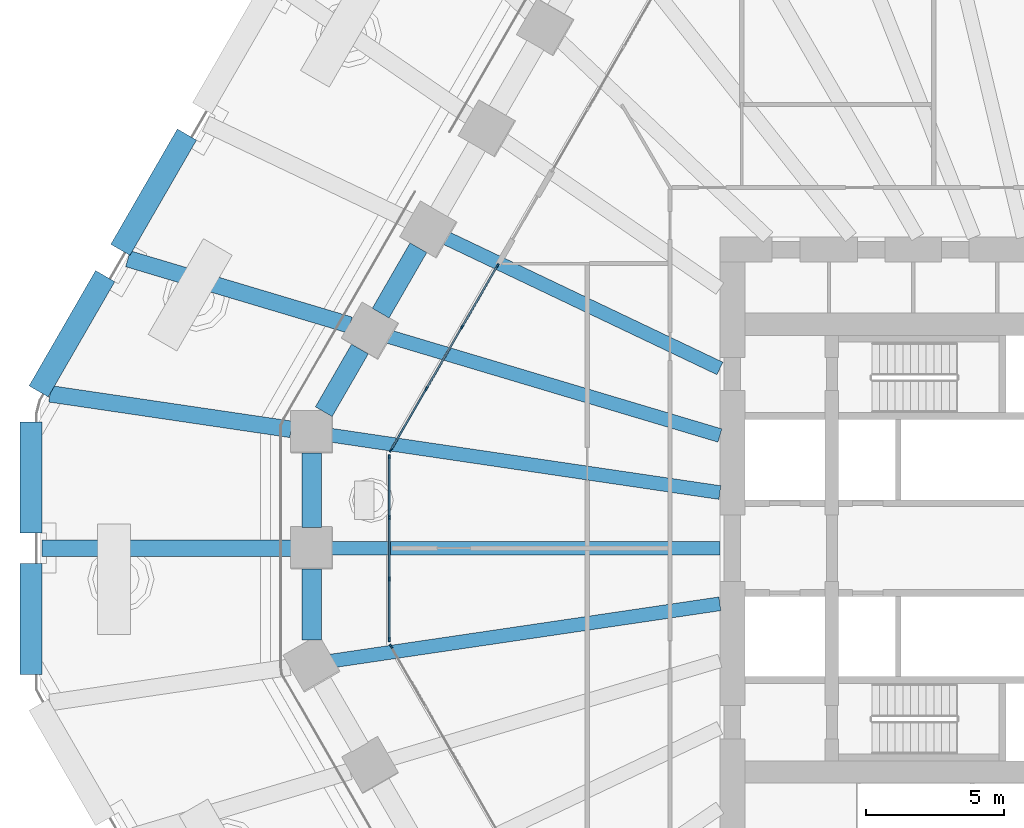
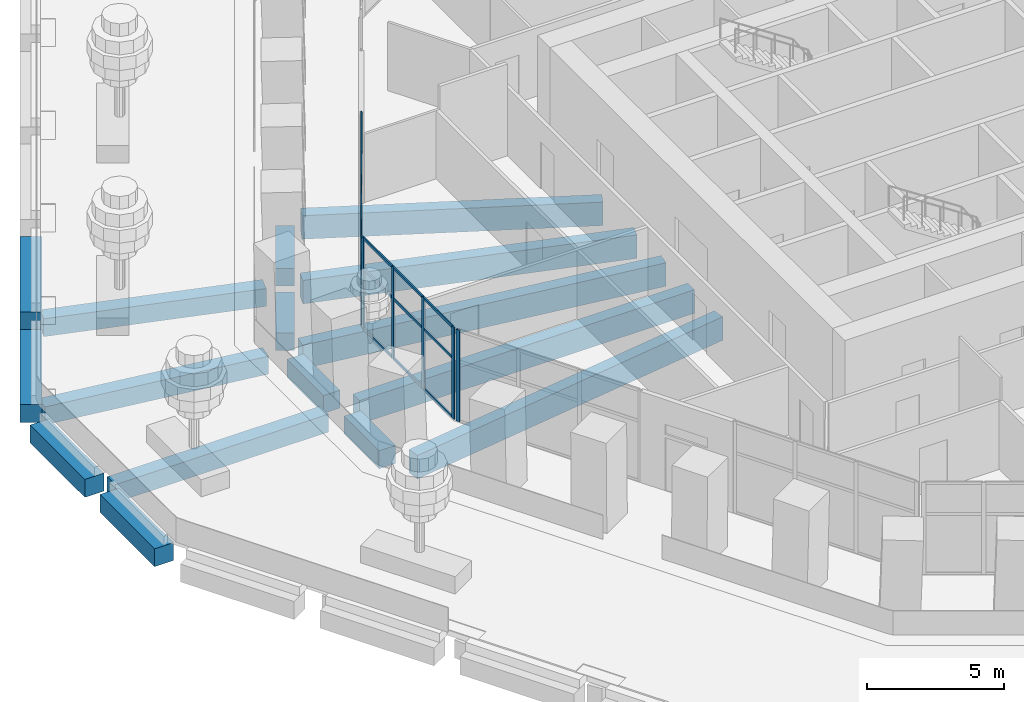
# One storey, part 10 of 32: 27 members, 16 beams, 3 elements without a shape of their own.
"""IFC4 building model written with IfcOpenShell, lengths in metres."""

from ifc_helpers import new_model, si_unit, direction, frame, origin, origin_2d, place, context, subcontext, project, spatial, rectangle, extrude, material, material_profile, profile_set, type_object, element, aggregate, save


model = new_model("IFC4")

# Units and contexts
model_context = context("Model", 3, precision=1e-05, world=origin(), true_north=direction((0.0, 1.0)))
body_context = subcontext(model_context, "Body", "Model", "MODEL_VIEW")
ifc_project = project(units=[si_unit("LENGTHUNIT", "METRE"), si_unit("AREAUNIT", "SQUARE_METRE"), si_unit("VOLUMEUNIT", "CUBIC_METRE"), si_unit("PLANEANGLEUNIT", "RADIAN"), si_unit("MASSUNIT", "GRAM", prefix="KILO")], contexts=[model_context])

# Site, building, storey
site_placement = place(None, origin())
site = spatial("IfcSite", under=ifc_project, at=site_placement, CompositionType="ELEMENT")
building_placement = place(site_placement, origin())
building = spatial("IfcBuilding", under=site, at=building_placement, Name="Frailejon Research Tower", CompositionType="ELEMENT")
storey_placement = place(building_placement, frame((0.0, 0.0, 14.60009765625)))
storey = spatial("IfcBuildingStorey", under=building, at=storey_placement, Name="L03", CompositionType="ELEMENT", Elevation=14.60009765625)

# Beams
ifc_material_1 = material(Name="Concrete C60/75", Category="concrete")
ifc_material_profile_1 = material_profile(ifc_material_1, rectangle(XDim=0.800048828125, YDim=0.800048828125, at=origin_2d()), Name="Base ring beam")
ifc_profile_set_1 = profile_set([ifc_material_profile_1], Name="Concrete C60/75")
beam_type_1 = type_object("IfcBeamType", Name="Base ring beam", PredefinedType="BEAM", material=ifc_profile_set_1)
beam_1_placement = place(storey_placement, frame((-32.930419921875, 14.962890625, -0.800048828125), z_axis=(-0.50000634465, -0.866021740668, 0.0), x_axis=(0.866021740668, -0.50000634465, 0.0)))
element("IfcBeam", 1, at=beam_1_placement, inside=storey, type_object=beam_type_1, Name="Base ring beam", PredefinedType="BEAM", context=body_context, shape_type="SweptSolid", body=[
    extrude(rectangle(XDim=0.800048828125, YDim=0.800048828125, at=origin_2d()), origin(), (0.0, 0.0, 1.0), 4.81396484375),
])
beam_2_placement = place(storey_placement, frame((-35.88720703125, 9.84130859375, -0.800048828125), z_axis=(-0.500028306193, -0.866009060579, 0.0), x_axis=(0.866009060579, -0.500028306193, 0.0)))
element("IfcBeam", 2, at=beam_2_placement, inside=storey, type_object=beam_type_1, Name="Base ring beam", PredefinedType="BEAM", context=body_context, shape_type="SweptSolid", body=[
    extrude(rectangle(XDim=0.800048828125, YDim=0.800048828125, at=origin_2d()), origin(), (0.0, 0.0, 1.0), 4.813720703125),
])
for number, where, z_axis, x_axis, name in (
    (3, (-38.569091796875, 4.56103515625, -0.800048828125), (0.0, -1.0, 0.0), (1.0, 0.0, 0.0), "Base ring beam"),
    (4, (-38.569091796875, -0.550048828125, -0.800048828125), (0.0, -1.0, 0.0), (1.0, 0.0, 0.0), "Base ring beam"),
):
    element("IfcBeam", number, at=place(storey_placement, frame(where, z_axis=z_axis, x_axis=x_axis)), inside=storey, type_object=beam_type_1, Name=name, PredefinedType="BEAM", context=body_context, shape_type="SweptSolid", body=[
        extrude(rectangle(XDim=0.800048828125, YDim=0.800048828125, at=origin_2d()), origin(), (0.0, 0.0, 1.0), 4.010986328125),
    ])

# Curtain wall, members
ifc_material_2 = material(Name="Aluminium curtain wall", Category="aluminium")
curtain_wall_type = type_object("IfcCurtainWallType", Name="Base zone unitised curtain wall system", PredefinedType="NOTDEFINED", material=ifc_material_2)
curtain_wall_1_placement = place(storey_placement, origin())
curtain_wall_1 = element("IfcCurtainWall", 5, at=curtain_wall_1_placement, inside=storey, type_object=curtain_wall_type, Name="Curtain wall L03", PredefinedType="NOTDEFINED")
ifc_material_3 = material(Name="Aluminium extrusion", Category="aluminium")
ifc_material_profile_2 = material_profile(ifc_material_3, rectangle(XDim=0.06005859375, YDim=0.159912109375, at=origin_2d()), Name="Base zone unitised curtain wall mullion 60x160")
ifc_profile_set_2 = profile_set([ifc_material_profile_2], Name="Aluminium extrusion")
member_type_1 = type_object("IfcMemberType", Name="Base zone unitised curtain wall mullion 60x160", PredefinedType="MULLION", material=ifc_profile_set_2)
member_1_placement = place(storey_placement, frame((-21.696044921875, 10.221435546875, 0.0), z_axis=(0.0, 0.0, 1.0), x_axis=(0.866029434533, -0.499993018474, 0.0)))
member_1 = element("IfcMember", 6, at=member_1_placement, type_object=member_type_1, Name="CW3-053 mullion 1", PredefinedType="MULLION", context=body_context, shape_type="SweptSolid", body=[
    extrude(rectangle(XDim=0.06005859375, YDim=0.159912109375, at=origin_2d()), origin(), (0.0, 0.0, 1.0), 4.099853515625),
])
member_2_placement = place(storey_placement, frame((-22.974853515625, 8.00634765625, 0.0), z_axis=(0.0, 0.0, 1.0), x_axis=(0.866029434533, -0.499993018474, 0.0)))
member_2 = element("IfcMember", 7, at=member_2_placement, type_object=member_type_1, Name="CW3-053 mullion 2", PredefinedType="MULLION", context=body_context, shape_type="SweptSolid", body=[
    extrude(rectangle(XDim=0.06005859375, YDim=0.159912109375, at=origin_2d()), origin(), (0.0, 0.0, 1.0), 4.099853515625),
])
member_3_placement = place(storey_placement, frame((-24.268798828125, 5.76513671875, 0.0), z_axis=(0.0, 0.0, 1.0), x_axis=(0.866029434533, -0.499993018474, 0.0)))
member_3 = element("IfcMember", 8, at=member_3_placement, type_object=member_type_1, Name="CW3-053 mullion 3", PredefinedType="MULLION", context=body_context, shape_type="SweptSolid", body=[
    extrude(rectangle(XDim=0.06005859375, YDim=0.159912109375, at=origin_2d()), origin(), (0.0, 0.0, 1.0), 4.099853515625),
])
member_4_placement = place(storey_placement, frame((-25.5478515625, 3.5498046875, 0.0), z_axis=(0.0, 0.0, 1.0), x_axis=(0.866029434533, -0.499993018474, 0.0)))
member_4 = element("IfcMember", 9, at=member_4_placement, type_object=member_type_1, Name="CW3-053 mullion 4", PredefinedType="MULLION", context=body_context, shape_type="SweptSolid", body=[
    extrude(rectangle(XDim=0.06005859375, YDim=0.159912109375, at=origin_2d()), origin(), (0.0, 0.0, 1.0), 4.099853515625),
])

curtain_wall_2_placement = place(storey_placement, origin())
curtain_wall_2 = element("IfcCurtainWall", 10, at=curtain_wall_2_placement, inside=storey, type_object=curtain_wall_type, Name="Curtain wall L03", PredefinedType="NOTDEFINED")
member_5_placement = place(storey_placement, frame((-25.61279296875, 3.307373046875, 0.0), z_axis=(0.0, 0.0, 1.0), x_axis=(1.0, 0.0, 0.0)))
member_5 = element("IfcMember", 11, at=member_5_placement, type_object=member_type_1, Name="CW3-054 mullion 1", PredefinedType="MULLION", context=body_context, shape_type="SweptSolid", body=[
    extrude(rectangle(XDim=0.06005859375, YDim=0.159912109375, at=origin_2d()), origin(), (0.0, 0.0, 1.0), 4.099853515625),
])
member_6_placement = place(storey_placement, frame((-25.61279296875, 1.112548828125, 0.0), z_axis=(0.0, 0.0, 1.0), x_axis=(1.0, 0.0, 0.0)))
member_6 = element("IfcMember", 12, at=member_6_placement, type_object=member_type_1, Name="CW3-054 mullion 2", PredefinedType="MULLION", context=body_context, shape_type="SweptSolid", body=[
    extrude(rectangle(XDim=0.06005859375, YDim=0.159912109375, at=origin_2d()), origin(), (0.0, 0.0, 1.0), 4.099853515625),
])
member_7_placement = place(storey_placement, frame((-25.61279296875, -1.112548828125, 0.0), z_axis=(0.0, 0.0, 1.0), x_axis=(1.0, 0.0, 0.0)))
member_7 = element("IfcMember", 13, at=member_7_placement, type_object=member_type_1, Name="CW3-054 mullion 3", PredefinedType="MULLION", context=body_context, shape_type="SweptSolid", body=[
    extrude(rectangle(XDim=0.06005859375, YDim=0.159912109375, at=origin_2d()), origin(), (0.0, 0.0, 1.0), 4.099853515625),
])
member_8_placement = place(storey_placement, frame((-25.61279296875, -3.307373046875, 0.0), z_axis=(0.0, 0.0, 1.0), x_axis=(1.0, 0.0, 0.0)))
member_8 = element("IfcMember", 14, at=member_8_placement, type_object=member_type_1, Name="CW3-054 mullion 4", PredefinedType="MULLION", context=body_context, shape_type="SweptSolid", body=[
    extrude(rectangle(XDim=0.06005859375, YDim=0.159912109375, at=origin_2d()), origin(), (0.0, 0.0, 1.0), 4.099853515625),
])

# Curtain wall, member
curtain_wall_3_placement = place(storey_placement, origin())
curtain_wall_3 = element("IfcCurtainWall", 15, at=curtain_wall_3_placement, inside=storey, type_object=curtain_wall_type, Name="Curtain wall L03", PredefinedType="NOTDEFINED")
member_9_placement = place(storey_placement, frame((-25.5478515625, -3.5498046875, 0.0), z_axis=(0.0, 0.0, 1.0), x_axis=(0.866029434533, 0.499993018474, 0.0)))
member_9 = element("IfcMember", 16, at=member_9_placement, type_object=member_type_1, Name="CW3-055 mullion 1", PredefinedType="MULLION", context=body_context, shape_type="SweptSolid", body=[
    extrude(rectangle(XDim=0.06005859375, YDim=0.159912109375, at=origin_2d()), origin(), (0.0, 0.0, 1.0), 4.099853515625),
])
aggregate(curtain_wall_3, [member_9])

# Member
ifc_material_4 = material(Name="Aluminium extrusion", Category="aluminium")
ifc_material_profile_3 = material_profile(ifc_material_4, rectangle(XDim=0.06005859375, YDim=0.1201171875, at=origin_2d()), Name="Base zone unitised curtain wall transom 60x120")
ifc_profile_set_3 = profile_set([ifc_material_profile_3], Name="Aluminium extrusion")
member_type_2 = type_object("IfcMemberType", Name="Base zone unitised curtain wall transom 60x120", PredefinedType="USERDEFINED", material=ifc_profile_set_3)
member_10_placement = place(storey_placement, frame((-21.7109375, 10.195556640625, 0.02978515625), z_axis=(-0.500007276137, -0.866021202864, 0.0), x_axis=(0.866021202864, -0.500007276137, 0.0)))
member_10 = element("IfcMember", 17, at=member_10_placement, type_object=member_type_2, Name="CW3-053 transom 1.1", ObjectType="TRANSOM", PredefinedType="USERDEFINED", context=body_context, shape_type="SweptSolid", body=[
    extrude(rectangle(XDim=0.06005859375, YDim=0.1201171875, at=origin_2d()), origin(), (0.0, 0.0, 1.0), 2.498046875),
])

member_11_placement = place(storey_placement, frame((-21.7109375, 10.195556640625, 2.699951171875), z_axis=(-0.500007276137, -0.866021202864, 0.0), x_axis=(0.866021202864, -0.500007276137, 0.0)))
member_11 = element("IfcMember", 18, at=member_11_placement, type_object=member_type_2, Name="CW3-053 transom 1.2", ObjectType="TRANSOM", PredefinedType="USERDEFINED", context=body_context, shape_type="SweptSolid", body=[
    extrude(rectangle(XDim=0.06005859375, YDim=0.1201171875, at=origin_2d()), origin(), (0.0, 0.0, 1.0), 2.498046875),
])

member_12_placement = place(storey_placement, frame((-21.7109375, 10.195556640625, 4.06982421875), z_axis=(-0.500007276137, -0.866021202864, 0.0), x_axis=(0.866021202864, -0.500007276137, 0.0)))
member_12 = element("IfcMember", 19, at=member_12_placement, type_object=member_type_2, Name="CW3-053 transom 1.3", ObjectType="TRANSOM", PredefinedType="USERDEFINED", context=body_context, shape_type="SweptSolid", body=[
    extrude(rectangle(XDim=0.06005859375, YDim=0.1201171875, at=origin_2d()), origin(), (0.0, 0.0, 1.0), 2.498046875),
])

member_13_placement = place(storey_placement, frame((-22.989990234375, 7.980224609375, 0.02978515625), z_axis=(-0.499992766374, -0.86602958008, 0.0), x_axis=(0.86602958008, -0.499992766374, 0.0)))
member_13 = element("IfcMember", 20, at=member_13_placement, type_object=member_type_2, Name="CW3-053 transom 2.1", ObjectType="TRANSOM", PredefinedType="USERDEFINED", context=body_context, shape_type="SweptSolid", body=[
    extrude(rectangle(XDim=0.06005859375, YDim=0.1201171875, at=origin_2d()), origin(), (0.0, 0.0, 1.0), 2.52783203125),
])

member_14_placement = place(storey_placement, frame((-22.989990234375, 7.980224609375, 2.699951171875), z_axis=(-0.499992766374, -0.86602958008, 0.0), x_axis=(0.86602958008, -0.499992766374, 0.0)))
member_14 = element("IfcMember", 21, at=member_14_placement, type_object=member_type_2, Name="CW3-053 transom 2.2", ObjectType="TRANSOM", PredefinedType="USERDEFINED", context=body_context, shape_type="SweptSolid", body=[
    extrude(rectangle(XDim=0.06005859375, YDim=0.1201171875, at=origin_2d()), origin(), (0.0, 0.0, 1.0), 2.52783203125),
])

member_15_placement = place(storey_placement, frame((-22.989990234375, 7.980224609375, 4.06982421875), z_axis=(-0.499992766374, -0.86602958008, 0.0), x_axis=(0.86602958008, -0.499992766374, 0.0)))
member_15 = element("IfcMember", 22, at=member_15_placement, type_object=member_type_2, Name="CW3-053 transom 2.3", ObjectType="TRANSOM", PredefinedType="USERDEFINED", context=body_context, shape_type="SweptSolid", body=[
    extrude(rectangle(XDim=0.06005859375, YDim=0.1201171875, at=origin_2d()), origin(), (0.0, 0.0, 1.0), 2.52783203125),
])

member_16_placement = place(storey_placement, frame((-24.283935546875, 5.739013671875, 0.02978515625), z_axis=(-0.499976292358, -0.866039090965, 0.0), x_axis=(0.866039090965, -0.499976292358, 0.0)))
member_16 = element("IfcMember", 23, at=member_16_placement, type_object=member_type_2, Name="CW3-053 transom 3.1", ObjectType="TRANSOM", PredefinedType="USERDEFINED", context=body_context, shape_type="SweptSolid", body=[
    extrude(rectangle(XDim=0.06005859375, YDim=0.1201171875, at=origin_2d()), origin(), (0.0, 0.0, 1.0), 2.49755859375),
])

member_17_placement = place(storey_placement, frame((-24.283935546875, 5.739013671875, 2.699951171875), z_axis=(-0.499976292358, -0.866039090965, 0.0), x_axis=(0.866039090965, -0.499976292358, 0.0)))
member_17 = element("IfcMember", 24, at=member_17_placement, type_object=member_type_2, Name="CW3-053 transom 3.2", ObjectType="TRANSOM", PredefinedType="USERDEFINED", context=body_context, shape_type="SweptSolid", body=[
    extrude(rectangle(XDim=0.06005859375, YDim=0.1201171875, at=origin_2d()), origin(), (0.0, 0.0, 1.0), 2.49755859375),
])

member_18_placement = place(storey_placement, frame((-24.283935546875, 5.739013671875, 4.06982421875), z_axis=(-0.499976292358, -0.866039090965, 0.0), x_axis=(0.866039090965, -0.499976292358, 0.0)))
member_18 = element("IfcMember", 25, at=member_18_placement, type_object=member_type_2, Name="CW3-053 transom 3.3", ObjectType="TRANSOM", PredefinedType="USERDEFINED", context=body_context, shape_type="SweptSolid", body=[
    extrude(rectangle(XDim=0.06005859375, YDim=0.1201171875, at=origin_2d()), origin(), (0.0, 0.0, 1.0), 2.49755859375),
])

aggregate(curtain_wall_1, [member_1, member_2, member_3, member_4, member_10, member_11, member_12, member_13, member_14, member_15, member_16, member_17, member_18])

member_19_placement = place(storey_placement, frame((-25.61279296875, 3.27734375, 0.02978515625), z_axis=(0.0, -1.0, 0.0), x_axis=(1.0, 0.0, 0.0)))
member_19 = element("IfcMember", 26, at=member_19_placement, type_object=member_type_2, Name="CW3-054 transom 1.1", ObjectType="TRANSOM", PredefinedType="USERDEFINED", context=body_context, shape_type="SweptSolid", body=[
    extrude(rectangle(XDim=0.06005859375, YDim=0.1201171875, at=origin_2d()), origin(), (0.0, 0.0, 1.0), 2.135009765625),
])

member_20_placement = place(storey_placement, frame((-25.61279296875, 3.27734375, 2.699951171875), z_axis=(0.0, -1.0, 0.0), x_axis=(1.0, 0.0, 0.0)))
member_20 = element("IfcMember", 27, at=member_20_placement, type_object=member_type_2, Name="CW3-054 transom 1.2", ObjectType="TRANSOM", PredefinedType="USERDEFINED", context=body_context, shape_type="SweptSolid", body=[
    extrude(rectangle(XDim=0.06005859375, YDim=0.1201171875, at=origin_2d()), origin(), (0.0, 0.0, 1.0), 2.135009765625),
])

member_21_placement = place(storey_placement, frame((-25.61279296875, 3.27734375, 4.06982421875), z_axis=(0.0, -1.0, 0.0), x_axis=(1.0, 0.0, 0.0)))
member_21 = element("IfcMember", 28, at=member_21_placement, type_object=member_type_2, Name="CW3-054 transom 1.3", ObjectType="TRANSOM", PredefinedType="USERDEFINED", context=body_context, shape_type="SweptSolid", body=[
    extrude(rectangle(XDim=0.06005859375, YDim=0.1201171875, at=origin_2d()), origin(), (0.0, 0.0, 1.0), 2.135009765625),
])

member_22_placement = place(storey_placement, frame((-25.61279296875, 1.08251953125, 0.02978515625), z_axis=(0.0, -1.0, 0.0), x_axis=(1.0, 0.0, 0.0)))
member_22 = element("IfcMember", 29, at=member_22_placement, type_object=member_type_2, Name="CW3-054 transom 2.1", ObjectType="TRANSOM", PredefinedType="USERDEFINED", context=body_context, shape_type="SweptSolid", body=[
    extrude(rectangle(XDim=0.06005859375, YDim=0.1201171875, at=origin_2d()), origin(), (0.0, 0.0, 1.0), 2.1650390625),
])

member_23_placement = place(storey_placement, frame((-25.61279296875, 1.08251953125, 2.699951171875), z_axis=(0.0, -1.0, 0.0), x_axis=(1.0, 0.0, 0.0)))
member_23 = element("IfcMember", 30, at=member_23_placement, type_object=member_type_2, Name="CW3-054 transom 2.2", ObjectType="TRANSOM", PredefinedType="USERDEFINED", context=body_context, shape_type="SweptSolid", body=[
    extrude(rectangle(XDim=0.06005859375, YDim=0.1201171875, at=origin_2d()), origin(), (0.0, 0.0, 1.0), 2.1650390625),
])

member_24_placement = place(storey_placement, frame((-25.61279296875, 1.08251953125, 4.06982421875), z_axis=(0.0, -1.0, 0.0), x_axis=(1.0, 0.0, 0.0)))
member_24 = element("IfcMember", 31, at=member_24_placement, type_object=member_type_2, Name="CW3-054 transom 2.3", ObjectType="TRANSOM", PredefinedType="USERDEFINED", context=body_context, shape_type="SweptSolid", body=[
    extrude(rectangle(XDim=0.06005859375, YDim=0.1201171875, at=origin_2d()), origin(), (0.0, 0.0, 1.0), 2.1650390625),
])

member_25_placement = place(storey_placement, frame((-25.61279296875, -1.142333984375, 0.02978515625), z_axis=(0.0, -1.0, 0.0), x_axis=(1.0, 0.0, 0.0)))
member_25 = element("IfcMember", 32, at=member_25_placement, type_object=member_type_2, Name="CW3-054 transom 3.1", ObjectType="TRANSOM", PredefinedType="USERDEFINED", context=body_context, shape_type="SweptSolid", body=[
    extrude(rectangle(XDim=0.06005859375, YDim=0.1201171875, at=origin_2d()), origin(), (0.0, 0.0, 1.0), 2.135009765625),
])

member_26_placement = place(storey_placement, frame((-25.61279296875, -1.142333984375, 2.699951171875), z_axis=(0.0, -1.0, 0.0), x_axis=(1.0, 0.0, 0.0)))
member_26 = element("IfcMember", 33, at=member_26_placement, type_object=member_type_2, Name="CW3-054 transom 3.2", ObjectType="TRANSOM", PredefinedType="USERDEFINED", context=body_context, shape_type="SweptSolid", body=[
    extrude(rectangle(XDim=0.06005859375, YDim=0.1201171875, at=origin_2d()), origin(), (0.0, 0.0, 1.0), 2.135009765625),
])

member_27_placement = place(storey_placement, frame((-25.61279296875, -1.142333984375, 4.06982421875), z_axis=(0.0, -1.0, 0.0), x_axis=(1.0, 0.0, 0.0)))
member_27 = element("IfcMember", 34, at=member_27_placement, type_object=member_type_2, Name="CW3-054 transom 3.3", ObjectType="TRANSOM", PredefinedType="USERDEFINED", context=body_context, shape_type="SweptSolid", body=[
    extrude(rectangle(XDim=0.06005859375, YDim=0.1201171875, at=origin_2d()), origin(), (0.0, 0.0, 1.0), 2.135009765625),
])

aggregate(curtain_wall_2, [member_5, member_6, member_7, member_8, member_19, member_20, member_21, member_22, member_23, member_24, member_25, member_26, member_27])

# Beams
ifc_material_5 = material(Name="Concrete C60/75", Category="concrete")
ifc_material_profile_4 = material_profile(ifc_material_5, rectangle(XDim=0.60009765625, YDim=0.800048828125, at=origin_2d()), Name="Deck girder")
ifc_profile_set_4 = profile_set([ifc_material_profile_4], Name="Concrete C60/75")
beam_type_2 = type_object("IfcBeamType", Name="Deck girder", PredefinedType="BEAM", material=ifc_profile_set_4)
beam_3_placement = place(storey_placement, frame((-27.035400390625, 8.072998046875, -0.800048828125), z_axis=(-0.958192065752, 0.286125785503, 0.0), x_axis=(-0.286125785503, -0.958192065752, 0.0)))
element("IfcBeam", 35, at=beam_3_placement, inside=storey, type_object=beam_type_2, Name="Deck girder", PredefinedType="BEAM", context=body_context, shape_type="SweptSolid", body=[
    extrude(rectangle(XDim=0.60009765625, YDim=0.800048828125, at=origin_2d()), origin(), (0.0, 0.0, 1.0), 8.37744140625),
])
beam_4_placement = place(storey_placement, frame((-29.162841796875, 4.298095703125, -0.800048828125), z_axis=(-0.989311594585, 0.145816901696, 0.0), x_axis=(-0.145816901696, -0.989311594585, 0.0)))
element("IfcBeam", 36, at=beam_4_placement, inside=storey, type_object=beam_type_2, Name="Deck girder", PredefinedType="BEAM", context=body_context, shape_type="SweptSolid", body=[
    extrude(rectangle(XDim=0.60009765625, YDim=0.800048828125, at=origin_2d()), origin(), (0.0, 0.0, 1.0), 8.815185546875),
])
beam_5_placement = place(storey_placement, frame((-29.162841796875, 0.0, -0.800048828125), z_axis=(-1.0, 0.0, 0.0), x_axis=(0.0, -1.0, 0.0)))
element("IfcBeam", 37, at=beam_5_placement, inside=storey, type_object=beam_type_2, Name="Deck girder", PredefinedType="BEAM", context=body_context, shape_type="SweptSolid", body=[
    extrude(rectangle(XDim=0.60009765625, YDim=0.800048828125, at=origin_2d()), origin(), (0.0, 0.0, 1.0), 9.00634765625),
])
ifc_material_6 = material(Name="Concrete C60/75", Category="concrete")
ifc_material_profile_5 = material_profile(ifc_material_6, rectangle(XDim=0.5, YDim=1.050048828125, at=origin_2d()), Name="Girder 500x1050")
ifc_profile_set_5 = profile_set([ifc_material_profile_5], Name="Concrete C60/75")
beam_type_3 = type_object("IfcBeamType", Name="Girder 500x1050", PredefinedType="BEAM", material=ifc_profile_set_5)
beam_6_placement = place(storey_placement, frame((-23.63720703125, 11.258544921875, -0.8251953125), z_axis=(0.902826248809, -0.430005540036, 0.0), x_axis=(0.430005540036, 0.902826248809, 0.0)))
element("IfcBeam", 38, at=beam_6_placement, inside=storey, type_object=beam_type_3, Name="Girder 500x1050", PredefinedType="BEAM", context=body_context, shape_type="SweptSolid", body=[
    extrude(rectangle(XDim=0.5, YDim=1.050048828125, at=origin_2d()), origin(), (0.0, 0.0, 1.0), 11.062255859375),
])
beam_7_placement = place(storey_placement, frame((-25.701904296875, 7.6748046875, -0.8251953125), z_axis=(0.958191455721, -0.286127828396, 0.0), x_axis=(0.286127828396, 0.958191455721, 0.0)))
element("IfcBeam", 39, at=beam_7_placement, inside=storey, type_object=beam_type_3, Name="Girder 500x1050", PredefinedType="BEAM", context=body_context, shape_type="SweptSolid", body=[
    extrude(rectangle(XDim=0.5, YDim=1.050048828125, at=origin_2d()), origin(), (0.0, 0.0, 1.0), 12.577880859375),
])
beam_8_placement = place(storey_placement, frame((-27.811279296875, 4.098876953125, -0.8251953125), z_axis=(0.989312799654, -0.145808725528, 0.0), x_axis=(0.145808725528, 0.989312799654, 0.0)))
element("IfcBeam", 40, at=beam_8_placement, inside=storey, type_object=beam_type_3, Name="Girder 500x1050", PredefinedType="BEAM", context=body_context, shape_type="SweptSolid", body=[
    extrude(rectangle(XDim=0.5, YDim=1.050048828125, at=origin_2d()), origin(), (0.0, 0.0, 1.0), 14.314453125),
])
beam_9_placement = place(storey_placement, frame((-27.812744140625, 0.0, -0.8251953125), z_axis=(1.0, 0.0, 0.0), x_axis=(0.0, 1.0, 0.0)))
element("IfcBeam", 41, at=beam_9_placement, inside=storey, type_object=beam_type_3, Name="Girder 500x1050", PredefinedType="BEAM", context=body_context, shape_type="SweptSolid", body=[
    extrude(rectangle(XDim=0.5, YDim=1.050048828125, at=origin_2d()), origin(), (0.0, 0.0, 1.0), 14.162841796875),
])
beam_10_placement = place(storey_placement, frame((-27.76318359375, -4.091796875, -0.8251953125), z_axis=(0.989312714195, 0.145809305372, 0.0), x_axis=(-0.145809305372, 0.989312714195, 0.0)))
element("IfcBeam", 42, at=beam_10_placement, inside=storey, type_object=beam_type_3, Name="Girder 500x1050", PredefinedType="BEAM", context=body_context, shape_type="SweptSolid", body=[
    extrude(rectangle(XDim=0.5, YDim=1.050048828125, at=origin_2d()), origin(), (0.0, 0.0, 1.0), 14.265625),
])
ifc_material_7 = material(Name="Concrete C60/75", Category="concrete")
ifc_material_profile_6 = material_profile(ifc_material_7, rectangle(XDim=0.699951171875, YDim=0.800048828125, at=origin_2d()), Name="Spandrel 700x800")
ifc_profile_set_6 = profile_set([ifc_material_profile_6], Name="Concrete C60/75")
beam_type_4 = type_object("IfcBeamType", Name="Spandrel 700x800", PredefinedType="BEAM", material=ifc_profile_set_6)
beam_11_placement = place(storey_placement, frame((-24.555908203125, 10.867919921875, -0.75), z_axis=(-0.499993199895, -0.866029329791, 0.0), x_axis=(0.866029329791, -0.499993199895, 0.0)))
element("IfcBeam", 43, at=beam_11_placement, inside=storey, type_object=beam_type_4, Name="Spandrel 700x800", PredefinedType="BEAM", context=body_context, shape_type="SweptSolid", body=[
    extrude(rectangle(XDim=0.699951171875, YDim=0.800048828125, at=origin_2d()), origin(), (0.0, 0.0, 1.0), 2.73193359375),
])
beam_12_placement = place(storey_placement, frame((-26.671875, 7.202880859375, -0.75), z_axis=(-0.499983679662, -0.866034826131, 0.0), x_axis=(0.866034826131, -0.499983679662, 0.0)))
element("IfcBeam", 44, at=beam_12_placement, inside=storey, type_object=beam_type_4, Name="Spandrel 700x800", PredefinedType="BEAM", context=body_context, shape_type="SweptSolid", body=[
    extrude(rectangle(XDim=0.699951171875, YDim=0.800048828125, at=origin_2d()), origin(), (0.0, 0.0, 1.0), 2.61572265625),
])
beam_13_placement = place(storey_placement, frame((-28.412841796875, 3.4375, -0.75), z_axis=(0.0, -1.0, 0.0), x_axis=(1.0, 0.0, 0.0)))
element("IfcBeam", 45, at=beam_13_placement, inside=storey, type_object=beam_type_4, Name="Spandrel 700x800", PredefinedType="BEAM", context=body_context, shape_type="SweptSolid", body=[
    extrude(rectangle(XDim=0.699951171875, YDim=0.800048828125, at=origin_2d()), origin(), (0.0, 0.0, 1.0), 2.6875),
])
beam_14_placement = place(storey_placement, frame((-28.412841796875, -0.75, -0.75), z_axis=(0.0, -1.0, 0.0), x_axis=(1.0, 0.0, 0.0)))
element("IfcBeam", 46, at=beam_14_placement, inside=storey, type_object=beam_type_4, Name="Spandrel 700x800", PredefinedType="BEAM", context=body_context, shape_type="SweptSolid", body=[
    extrude(rectangle(XDim=0.699951171875, YDim=0.800048828125, at=origin_2d()), origin(), (0.0, 0.0, 1.0), 2.571533203125),
])

save(model, "model.ifc")
